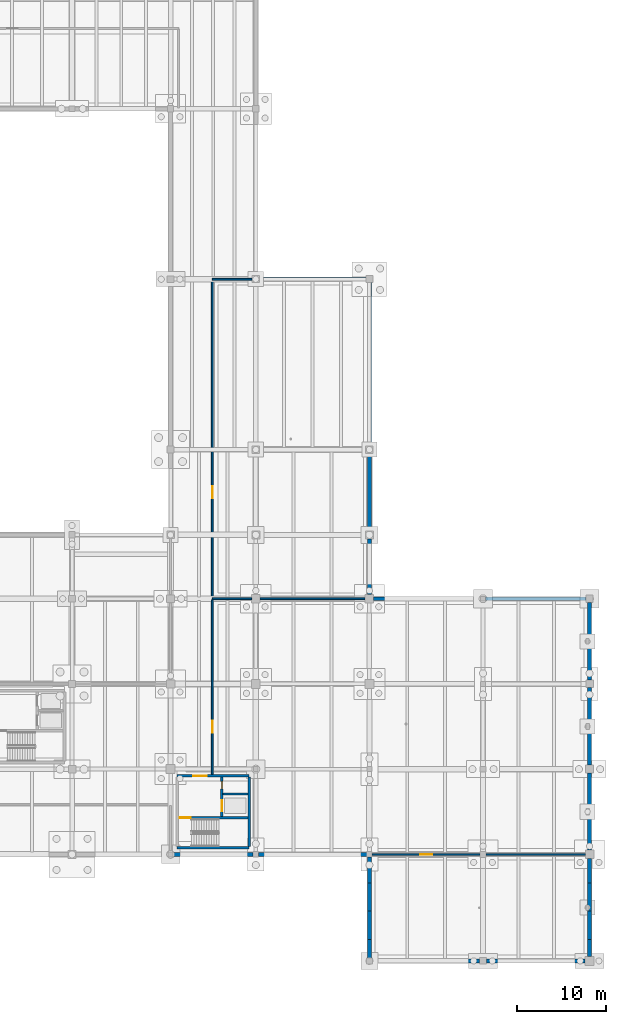
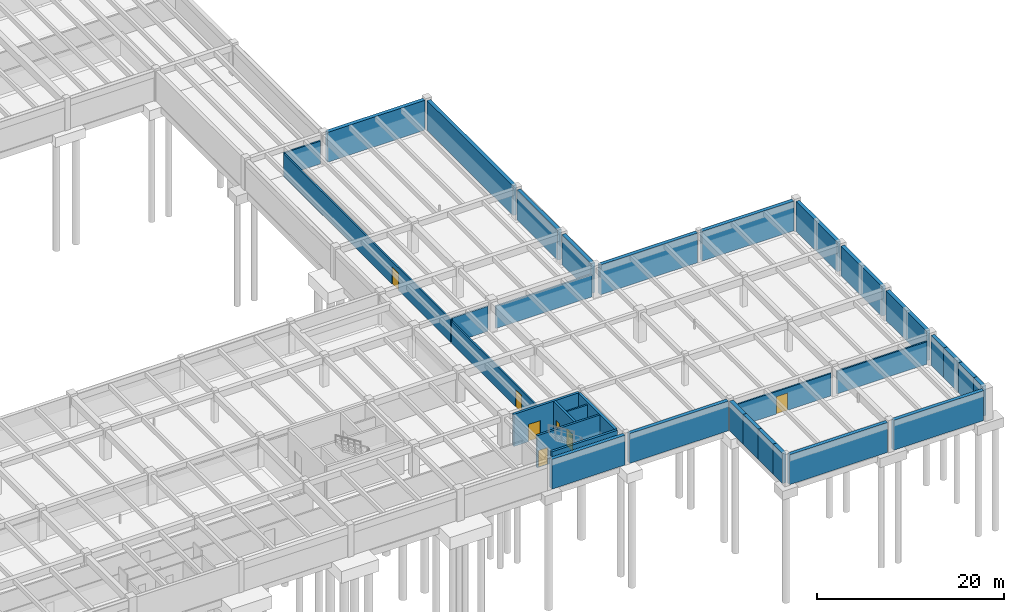
# One storey, part 21 of 41: 34 walls, 7 doors, 7 openings.
"""IFC4 building model written with IfcOpenShell, lengths in metres."""

from ifc_helpers import new_model, si_unit, direction, frame, frame_2d, origin, place, context, subcontext, project, spatial, rectangle, extrude, material, layer, layer_set, type_object, element, fill, save


model = new_model("IFC4")

# Units and contexts
model_context = context("Model", 3, precision=1e-05, world=origin(), true_north=direction((0.0, 1.0)))
body_context = subcontext(model_context, "Body", "Model", "MODEL_VIEW")
ifc_project = project(units=[si_unit("LENGTHUNIT", "METRE"), si_unit("AREAUNIT", "SQUARE_METRE"), si_unit("VOLUMEUNIT", "CUBIC_METRE"), si_unit("PLANEANGLEUNIT", "RADIAN"), si_unit("MASSUNIT", "GRAM", prefix="KILO")], contexts=[model_context])

# Site, building, storey
site_placement = place(None, origin())
site = spatial("IfcSite", under=ifc_project, at=site_placement, CompositionType="ELEMENT")
building_placement = place(site_placement, origin())
building = spatial("IfcBuilding", under=site, at=building_placement, Name="Fikremerkos Civic Library", CompositionType="ELEMENT")
storey_placement = place(building_placement, frame((0.0, 0.0, -8.39990234375)))
storey = spatial("IfcBuildingStorey", under=building, at=storey_placement, Name="B02", CompositionType="ELEMENT", Elevation=-8.39990234375)

# Walls
ifc_material_1 = material(Name="Concrete C40/50", Category="concrete")
ifc_layer_1 = layer(ifc_material_1, 0.449951171875, Name="Concrete C40/50")
ifc_layer_set_1 = layer_set([ifc_layer_1], Name="Concrete C40/50")
wall_type_1 = type_object("IfcWallType", Name="Basement retaining wall BRW-01 450", PredefinedType="USERDEFINED", material=ifc_layer_set_1)
wall_1_placement = place(storey_placement, frame((134.798095703125, 76.800048828125, 0.0), z_axis=(0.0, 0.0, 1.0), x_axis=(1.0, 0.0, 0.0)))
element("IfcWall", 1, at=wall_1_placement, inside=storey, type_object=wall_type_1, Name="Basement retaining wall BRW-01 B02 #62", ObjectType="RETAINING WALL", PredefinedType="USERDEFINED", context=body_context, shape_type="SweptSolid", body=[
    extrude(rectangle(XDim=12.00390625, YDim=0.449951171875, at=frame_2d((6.001953125, 0.0))), origin(), (0.0, 0.0, 1.0), 3.89990234375),
])
wall_2_placement = place(storey_placement, frame((147.199951171875, 76.402099609375, 0.0), z_axis=(0.0, 0.0, 1.0), x_axis=(0.0, -1.0, 0.0)))
element("IfcWall", 2, at=wall_2_placement, inside=storey, type_object=wall_type_1, Name="Basement retaining wall BRW-01 B02 #63", ObjectType="RETAINING WALL", PredefinedType="USERDEFINED", context=body_context, shape_type="SweptSolid", body=[
    extrude(rectangle(XDim=18.379150390625, YDim=0.449951171875, at=frame_2d((9.189453125, 0.0))), origin(), (0.0, 0.0, 1.0), 3.89990234375),
])
wall_3_placement = place(storey_placement, frame((147.199951171875, 57.177001953125, 0.0), z_axis=(0.0, 0.0, 1.0), x_axis=(0.0, -1.0, 0.0)))
element("IfcWall", 3, at=wall_3_placement, inside=storey, type_object=wall_type_1, Name="Basement retaining wall BRW-01 B02 #64", ObjectType="RETAINING WALL", PredefinedType="USERDEFINED", context=body_context, shape_type="SweptSolid", body=[
    extrude(rectangle(XDim=8.72900390625, YDim=0.449951171875, at=frame_2d((4.364501953125, 0.0))), origin(), (0.0, 0.0, 1.0), 3.89990234375),
])
wall_4_placement = place(storey_placement, frame((147.199951171875, 47.552001953125, 0.0), z_axis=(0.0, 0.0, 1.0), x_axis=(0.0, -1.0, 0.0)))
element("IfcWall", 4, at=wall_4_placement, inside=storey, type_object=wall_type_1, Name="Basement retaining wall BRW-01 B02 #65", ObjectType="RETAINING WALL", PredefinedType="USERDEFINED", context=body_context, shape_type="SweptSolid", body=[
    extrude(rectangle(XDim=6.279052734375, YDim=0.449951171875, at=frame_2d((3.1396484375, 0.0))), origin(), (0.0, 0.0, 1.0), 3.89990234375),
])
wall_5_placement = place(storey_placement, frame((147.673095703125, 40.800048828125, 0.0), z_axis=(0.0, 0.0, 1.0), x_axis=(1.0, 0.0, 0.0)))
element("IfcWall", 5, at=wall_5_placement, inside=storey, type_object=wall_type_1, Name="Basement retaining wall BRW-01 B02 #66", ObjectType="RETAINING WALL", PredefinedType="USERDEFINED", context=body_context, shape_type="SweptSolid", body=[
    extrude(rectangle(XDim=12.053955078125, YDim=0.449951171875, at=frame_2d((6.02685546875, 0.0))), origin(), (0.0, 0.0, 1.0), 3.8798828125),
])
wall_6_placement = place(storey_placement, frame((160.27294921875, 40.800048828125, 0.0), z_axis=(0.0, 0.0, 1.0), x_axis=(1.0, 0.0, 0.0)))
element("IfcWall", 6, at=wall_6_placement, inside=storey, type_object=wall_type_1, Name="Basement retaining wall BRW-01 B02 #67", ObjectType="RETAINING WALL", PredefinedType="USERDEFINED", context=body_context, shape_type="SweptSolid", body=[
    extrude(rectangle(XDim=11.3291015625, YDim=0.449951171875, at=frame_2d((5.66455078125, 0.0))), origin(), (0.0, 0.0, 1.0), 3.8798828125),
])
wall_7_placement = place(storey_placement, frame((172.0, 40.402099609375, 0.0), z_axis=(0.0, 0.0, 1.0), x_axis=(0.0, -1.0, 0.0)))
element("IfcWall", 7, at=wall_7_placement, inside=storey, type_object=wall_type_1, Name="Basement retaining wall BRW-01 B02 #68", ObjectType="RETAINING WALL", PredefinedType="USERDEFINED", context=body_context, shape_type="SweptSolid", body=[
    extrude(rectangle(XDim=8.779052734375, YDim=0.449951171875, at=frame_2d((4.3896484375, 0.0))), origin(), (0.0, 0.0, 1.0), 3.8798828125),
])
wall_8_placement = place(storey_placement, frame((172.0, 30.777099609375, 0.0), z_axis=(0.0, 0.0, 1.0), x_axis=(0.0, -1.0, 0.0)))
element("IfcWall", 8, at=wall_8_placement, inside=storey, type_object=wall_type_1, Name="Basement retaining wall BRW-01 B02 #69", ObjectType="RETAINING WALL", PredefinedType="USERDEFINED", context=body_context, shape_type="SweptSolid", body=[
    extrude(rectangle(XDim=8.72900390625, YDim=0.449951171875, at=frame_2d((4.364501953125, 0.0))), origin(), (0.0, 0.0, 1.0), 3.8798828125),
])
wall_9_placement = place(storey_placement, frame((172.0, 21.152099609375, 0.0), z_axis=(0.0, 0.0, 1.0), x_axis=(0.0, -1.0, 0.0)))
element("IfcWall", 9, at=wall_9_placement, inside=storey, type_object=wall_type_1, Name="Basement retaining wall BRW-01 B02 #70", ObjectType="RETAINING WALL", PredefinedType="USERDEFINED", context=body_context, shape_type="SweptSolid", body=[
    extrude(rectangle(XDim=8.67919921875, YDim=0.449951171875, at=frame_2d((4.339599609375, 0.0))), origin(), (0.0, 0.0, 1.0), 3.8798828125),
])
wall_10_placement = place(storey_placement, frame((172.0, 11.527099609375, 0.0), z_axis=(0.0, 0.0, 1.0), x_axis=(0.0, -1.0, 0.0)))
element("IfcWall", 10, at=wall_10_placement, inside=storey, type_object=wall_type_1, Name="Basement retaining wall BRW-01 B02 #71", ObjectType="RETAINING WALL", PredefinedType="USERDEFINED", context=body_context, shape_type="SweptSolid", body=[
    extrude(rectangle(XDim=2.72509765625, YDim=0.449951171875, at=frame_2d((1.362548828125, 0.0))), origin(), (0.0, 0.0, 1.0), 3.89990234375),
])
wall_11_placement = place(storey_placement, frame((172.0, 8.798095703125, 0.0), z_axis=(0.0, 0.0, 1.0), x_axis=(0.0, -1.0, 0.0)))
element("IfcWall", 11, at=wall_11_placement, inside=storey, type_object=wall_type_1, Name="Basement retaining wall BRW-01 B02 #72", ObjectType="RETAINING WALL", PredefinedType="USERDEFINED", context=body_context, shape_type="SweptSolid", body=[
    extrude(rectangle(XDim=3.196044921875, YDim=0.449951171875, at=frame_2d((1.59814453125, 0.0))), origin(), (0.0, 0.0, 1.0), 3.89990234375),
])
wall_12_placement = place(storey_placement, frame((172.0, 5.597900390625, 0.0), z_axis=(0.0, 0.0, 1.0), x_axis=(0.0, -1.0, 0.0)))
element("IfcWall", 12, at=wall_12_placement, inside=storey, type_object=wall_type_1, Name="Basement retaining wall BRW-01 B02 #73", ObjectType="RETAINING WALL", PredefinedType="USERDEFINED", context=body_context, shape_type="SweptSolid", body=[
    extrude(rectangle(XDim=3.19580078125, YDim=0.449951171875, at=frame_2d((1.597900390625, 0.0))), origin(), (0.0, 0.0, 1.0), 3.89990234375),
])
wall_13_placement = place(storey_placement, frame((172.0, 2.39794921875, 0.0), z_axis=(0.0, 0.0, 1.0), x_axis=(0.0, -1.0, 0.0)))
element("IfcWall", 13, at=wall_13_placement, inside=storey, type_object=wall_type_1, Name="Basement retaining wall BRW-01 B02 #74", ObjectType="RETAINING WALL", PredefinedType="USERDEFINED", context=body_context, shape_type="SweptSolid", body=[
    extrude(rectangle(XDim=1.89990234375, YDim=0.449951171875, at=frame_2d((0.949951171875, 0.0))), origin(), (0.0, 0.0, 1.0), 3.89990234375),
])
wall_14_placement = place(storey_placement, frame((171.501953125, 0.0, 0.0), z_axis=(0.0, 0.0, 1.0), x_axis=(-1.0, 0.0, 0.0)))
element("IfcWall", 14, at=wall_14_placement, inside=storey, type_object=wall_type_1, Name="Basement retaining wall BRW-01 B02 #75", ObjectType="RETAINING WALL", PredefinedType="USERDEFINED", context=body_context, shape_type="SweptSolid", body=[
    extrude(rectangle(XDim=11.12890625, YDim=0.449951171875, at=frame_2d((5.564453125, 0.0))), origin(), (0.0, 0.0, 1.0), 3.89990234375),
])
wall_15_placement = place(storey_placement, frame((159.626953125, 0.0, 0.0), z_axis=(0.0, 0.0, 1.0), x_axis=(-1.0, 0.0, 0.0)))
element("IfcWall", 15, at=wall_15_placement, inside=storey, type_object=wall_type_1, Name="Basement retaining wall BRW-01 B02 #76", ObjectType="RETAINING WALL", PredefinedType="USERDEFINED", context=body_context, shape_type="SweptSolid", body=[
    extrude(rectangle(XDim=12.10400390625, YDim=0.449951171875, at=frame_2d((6.052001953125, 0.0))), origin(), (0.0, 0.0, 1.0), 3.89990234375),
])
wall_16_placement = place(storey_placement, frame((147.199951171875, 0.322998046875, 0.0), z_axis=(0.0, 0.0, 1.0), x_axis=(0.0, 1.0, 0.0)))
element("IfcWall", 16, at=wall_16_placement, inside=storey, type_object=wall_type_1, Name="Basement retaining wall BRW-01 B02 #77", ObjectType="RETAINING WALL", PredefinedType="USERDEFINED", context=body_context, shape_type="SweptSolid", body=[
    extrude(rectangle(XDim=2.074951171875, YDim=0.449951171875, at=frame_2d((1.03759765625, 0.0))), origin(), (0.0, 0.0, 1.0), 3.89990234375),
])
wall_17_placement = place(storey_placement, frame((147.199951171875, 2.402099609375, 0.0), z_axis=(0.0, 0.0, 1.0), x_axis=(0.0, 1.0, 0.0)))
element("IfcWall", 17, at=wall_17_placement, inside=storey, type_object=wall_type_1, Name="Basement retaining wall BRW-01 B02 #78", ObjectType="RETAINING WALL", PredefinedType="USERDEFINED", context=body_context, shape_type="SweptSolid", body=[
    extrude(rectangle(XDim=3.19580078125, YDim=0.449951171875, at=frame_2d((1.597900390625, 0.0))), origin(), (0.0, 0.0, 1.0), 3.89990234375),
])
wall_18_placement = place(storey_placement, frame((147.199951171875, 5.60205078125, 0.0), z_axis=(0.0, 0.0, 1.0), x_axis=(0.0, 1.0, 0.0)))
element("IfcWall", 18, at=wall_18_placement, inside=storey, type_object=wall_type_1, Name="Basement retaining wall BRW-01 B02 #79", ObjectType="RETAINING WALL", PredefinedType="USERDEFINED", context=body_context, shape_type="SweptSolid", body=[
    extrude(rectangle(XDim=3.196044921875, YDim=0.449951171875, at=frame_2d((1.59814453125, 0.0))), origin(), (0.0, 0.0, 1.0), 3.89990234375),
])
wall_19_placement = place(storey_placement, frame((147.199951171875, 8.802001953125, 0.0), z_axis=(0.0, 0.0, 1.0), x_axis=(0.0, 1.0, 0.0)))
element("IfcWall", 19, at=wall_19_placement, inside=storey, type_object=wall_type_1, Name="Basement retaining wall BRW-01 B02 #80", ObjectType="RETAINING WALL", PredefinedType="USERDEFINED", context=body_context, shape_type="SweptSolid", body=[
    extrude(rectangle(XDim=2.89990234375, YDim=0.449951171875, at=frame_2d((1.449951171875, 0.0))), origin(), (0.0, 0.0, 1.0), 3.89990234375),
])
wall_20_placement = place(storey_placement, frame((146.902099609375, 12.0, 0.0), z_axis=(0.0, 0.0, 1.0), x_axis=(-1.0, 0.0, 0.0)))
element("IfcWall", 20, at=wall_20_placement, inside=storey, type_object=wall_type_1, Name="Basement retaining wall BRW-01 B02 #81", ObjectType="RETAINING WALL", PredefinedType="USERDEFINED", context=body_context, shape_type="SweptSolid", body=[
    extrude(rectangle(XDim=12.2041015625, YDim=0.449951171875, at=frame_2d((6.10205078125, 0.0))), origin(), (0.0, 0.0, 1.0), 3.8798828125),
])
wall_21_placement = place(storey_placement, frame((134.10205078125, 12.0, 0.0), z_axis=(0.0, 0.0, 1.0), x_axis=(-1.0, 0.0, 0.0)))
element("IfcWall", 21, at=wall_21_placement, inside=storey, type_object=wall_type_1, Name="Basement retaining wall BRW-01 B02 #82", ObjectType="RETAINING WALL", PredefinedType="USERDEFINED", context=body_context, shape_type="SweptSolid", body=[
    extrude(rectangle(XDim=9.029052734375, YDim=0.449951171875, at=frame_2d((4.5146484375, 0.0))), origin(), (0.0, 0.0, 1.0), 3.8798828125),
])
ifc_layer_2 = layer(ifc_material_1, 0.300048828125, Name="Concrete C40/50")
ifc_layer_set_2 = layer_set([ifc_layer_2], Name="Concrete C40/50")
wall_type_2 = type_object("IfcWallType", Name="Core shear wall CSW-01 300", PredefinedType="SHEAR", material=ifc_layer_set_2)
wall_22_placement = place(storey_placement, frame((133.64990234375, 12.75, 0.0), z_axis=(0.0, 0.0, 1.0), x_axis=(-1.0, 0.0, 0.0)))
element("IfcWall", 22, at=wall_22_placement, inside=storey, type_object=wall_type_2, Name="Core K4 south shear wall B02", PredefinedType="SHEAR", context=body_context, shape_type="SweptSolid", body=[
    extrude(rectangle(XDim=8.099853515625, YDim=0.300048828125, at=frame_2d((4.0498046875, 0.0))), origin(), (0.0, 0.0, 1.0), 4.199951171875),
])

# Wall, opening, door
wall_23_placement = place(storey_placement, frame((125.550048828125, 20.85009765625, 0.0), z_axis=(0.0, 0.0, 1.0), x_axis=(1.0, 0.0, 0.0)))
wall_23 = element("IfcWall", 23, at=wall_23_placement, inside=storey, type_object=wall_type_2, Name="Core K4 north shear wall B02", PredefinedType="SHEAR", context=body_context, shape_type="SweptSolid", body=[
    extrude(rectangle(XDim=8.099853515625, YDim=0.300048828125, at=frame_2d((4.0498046875, 0.0))), origin(), (0.0, 0.0, 1.0), 4.199951171875),
])
opening_1_placement = place(wall_23_placement, frame((1.800048828125, 0.0, 0.0)))
opening_1 = element("IfcOpeningElement", 24, at=opening_1_placement, cuts=wall_23, Name="Opening D101", PredefinedType="OPENING", context=body_context, shape_type="SweptSolid", body=[
    extrude(rectangle(XDim=1.5, YDim=2.25, at=frame_2d((0.75, 1.125))), frame((0.0, 0.159912109375, 0.0), z_axis=(0.0, -1.0, 0.0), x_axis=(1.0, 0.0, 0.0)), (0.0, 0.0, 1.0), 0.320068359375),
])
ifc_material_2 = material(Name="Hardwood timber and acoustic glass", Category="wood")
door_type_1 = type_object("IfcDoorType", Name="Pedestrian door DT-05 1500x2250", OperationType="NOTDEFINED", PredefinedType="DOOR", material=ifc_material_2)
door_1_placement = place(opening_1_placement, origin())
door_1 = element("IfcDoor", 25, at=door_1_placement, inside=storey, type_object=door_type_1, Name="Core K4 lobby fire door D101 B02", OperationType="SINGLE_SWING_LEFT", OverallHeight=2.25, OverallWidth=1.5, PredefinedType="DOOR", context=body_context, shape_type="SweptSolid", body=[
    extrude(rectangle(XDim=1.5, YDim=2.25, at=frame_2d((0.75, 1.125))), frame((0.0, 0.032470703125, 0.0), z_axis=(0.0, -1.0, 0.0), x_axis=(1.0, 0.0, 0.0)), (0.0, 0.0, 1.0), 0.06494140625),
])
fill(opening_1, door_1)

# Wall
wall_24_placement = place(storey_placement, frame((133.64990234375, 20.697998046875, 0.0), z_axis=(0.0, 0.0, 1.0), x_axis=(0.0, -1.0, 0.0)))
element("IfcWall", 26, at=wall_24_placement, inside=storey, type_object=wall_type_2, Name="Core K4 east shear wall B02", PredefinedType="SHEAR", context=body_context, shape_type="SweptSolid", body=[
    extrude(rectangle(XDim=7.7958984375, YDim=0.300048828125, at=frame_2d((3.89794921875, 0.0))), origin(), (0.0, 0.0, 1.0), 4.199951171875),
])

# Wall, opening, door
ifc_layer_3 = layer(ifc_material_1, 0.260009765625, Name="Concrete C40/50")
ifc_layer_set_3 = layer_set([ifc_layer_3], Name="Concrete C40/50")
wall_type_3 = type_object("IfcWallType", Name="Core shear wall CSW-02 260", PredefinedType="SHEAR", material=ifc_layer_set_3)
wall_25_placement = place(storey_placement, frame((125.701904296875, 16.1298828125, 0.0), z_axis=(0.0, 0.0, 1.0), x_axis=(1.0, 0.0, 0.0)))
wall_25 = element("IfcWall", 27, at=wall_25_placement, inside=storey, type_object=wall_type_3, Name="Core K4 stair compartment wall B02", PredefinedType="SHEAR", context=body_context, shape_type="SweptSolid", body=[
    extrude(rectangle(XDim=7.796142578125, YDim=0.260009765625, at=frame_2d((3.89794921875, 0.0))), origin(), (0.0, 0.0, 1.0), 4.199951171875),
])
opening_2_placement = place(wall_25_placement, frame((0.14794921875, 0.0, 0.0)))
opening_2 = element("IfcOpeningElement", 28, at=opening_2_placement, cuts=wall_25, Name="Opening D102", PredefinedType="OPENING", context=body_context, shape_type="SweptSolid", body=[
    extrude(rectangle(XDim=1.199951171875, YDim=2.199951171875, at=frame_2d((0.60009765625, 1.10009765625))), frame((0.0, 0.139892578125, 0.0), z_axis=(0.0, -1.0, 0.0), x_axis=(1.0, 0.0, 0.0)), (0.0, 0.0, 1.0), 0.280029296875),
])
door_type_2 = type_object("IfcDoorType", Name="Pedestrian door DT-06 1200x2200", OperationType="NOTDEFINED", PredefinedType="DOOR", material=ifc_material_2)
door_2_placement = place(opening_2_placement, origin())
door_2 = element("IfcDoor", 29, at=door_2_placement, inside=storey, type_object=door_type_2, Name="Core K4 stair fire door D102 B02", OperationType="SINGLE_SWING_RIGHT", OverallHeight=2.199951171875, OverallWidth=1.199951171875, PredefinedType="DOOR", context=body_context, shape_type="SweptSolid", body=[
    extrude(rectangle(XDim=1.199951171875, YDim=2.199951171875, at=frame_2d((0.60009765625, 1.10009765625))), frame((0.0, 0.032470703125, 0.0), z_axis=(0.0, -1.0, 0.0), x_axis=(1.0, 0.0, 0.0)), (0.0, 0.0, 1.0), 0.06494140625),
])
fill(opening_2, door_2)

# Wall, openings, doors
wall_26_placement = place(storey_placement, frame((130.570068359375, 16.261962890625, 0.0), z_axis=(0.0, 0.0, 1.0), x_axis=(0.0, 1.0, 0.0)))
wall_26 = element("IfcWall", 30, at=wall_26_placement, inside=storey, type_object=wall_type_3, Name="Core K4 lift shaft front wall B02", PredefinedType="SHEAR", context=body_context, shape_type="SweptSolid", body=[
    extrude(rectangle(XDim=4.43603515625, YDim=0.260009765625, at=frame_2d((2.218017578125, 0.0))), origin(), (0.0, 0.0, 1.0), 4.199951171875),
])
opening_3_placement = place(wall_26_placement, frame((3.113037109375, 0.0, 0.0)))
opening_3 = element("IfcOpeningElement", 31, at=opening_3_placement, cuts=wall_26, Name="Opening D103", PredefinedType="OPENING", context=body_context, shape_type="SweptSolid", body=[
    extrude(rectangle(XDim=0.85009765625, YDim=2.050048828125, at=frame_2d((0.425048828125, 1.02490234375))), frame((0.0, 0.139892578125, 0.0), z_axis=(0.0, -1.0, 0.0), x_axis=(1.0, 0.0, 0.0)), (0.0, 0.0, 1.0), 0.280029296875),
])
opening_4_placement = place(wall_26_placement, frame((0.593017578125, 0.0, 0.0)))
opening_4 = element("IfcOpeningElement", 32, at=opening_4_placement, cuts=wall_26, Name="Opening LD49", PredefinedType="OPENING", context=body_context, shape_type="SweptSolid", body=[
    extrude(rectangle(XDim=1.25, YDim=2.199951171875, at=frame_2d((0.625, 1.10009765625))), frame((0.0, 0.139892578125, 0.0), z_axis=(0.0, -1.0, 0.0), x_axis=(1.0, 0.0, 0.0)), (0.0, 0.0, 1.0), 0.280029296875),
])
ifc_material_3 = material(Name="Brushed stainless steel", Category="steel")
door_type_3 = type_object("IfcDoorType", Name="Lift landing door LDT-02 1250x2200", OperationType="NOTDEFINED", PredefinedType="DOOR", material=ifc_material_3)
door_3_placement = place(opening_4_placement, origin())
door_3 = element("IfcDoor", 33, at=door_3_placement, inside=storey, type_object=door_type_3, Name="Lift LF07 sliding landing door LD49 B02", OperationType="SLIDING_TO_LEFT", OverallHeight=2.199951171875, OverallWidth=1.25, PredefinedType="DOOR", context=body_context, shape_type="SweptSolid", body=[
    extrude(rectangle(XDim=1.25, YDim=2.199951171875, at=frame_2d((0.625, 1.10009765625))), frame((0.0, 0.032470703125, 0.0), z_axis=(0.0, -1.0, 0.0), x_axis=(1.0, 0.0, 0.0)), (0.0, 0.0, 1.0), 0.06494140625),
])
fill(opening_4, door_3)
door_type_4 = type_object("IfcDoorType", Name="Pedestrian door DT-08 850x2050", OperationType="NOTDEFINED", PredefinedType="DOOR", material=ifc_material_2)
door_4_placement = place(opening_3_placement, origin())
door_4 = element("IfcDoor", 34, at=door_4_placement, inside=storey, type_object=door_type_4, Name="Core K4 riser access fire door D103 B02", OperationType="SINGLE_SWING_RIGHT", OverallHeight=2.050048828125, OverallWidth=0.85009765625, PredefinedType="DOOR", context=body_context, shape_type="SweptSolid", body=[
    extrude(rectangle(XDim=0.85009765625, YDim=2.050048828125, at=frame_2d((0.425048828125, 1.02490234375))), frame((0.0, 0.032470703125, 0.0), z_axis=(0.0, -1.0, 0.0), x_axis=(1.0, 0.0, 0.0)), (0.0, 0.0, 1.0), 0.06494140625),
])
fill(opening_3, door_4)

# Wall, opening, door
ifc_material_4 = material(Name="Acoustic concrete blockwork", Category="masonry")
ifc_layer_4 = layer(ifc_material_4, 0.18994140625, Name="Acoustic concrete blockwork")
ifc_layer_set_4 = layer_set([ifc_layer_4], Name="Acoustic concrete blockwork")
wall_type_4 = type_object("IfcWallType", Name="Interior partition wall IPW-01 190", PredefinedType="PARTITIONING", material=ifc_layer_set_4)
wall_27_placement = place(storey_placement, frame((147.5029296875, 12.0, 0.0), z_axis=(0.0, 0.0, 1.0), x_axis=(1.0, 0.0, 0.0)))
wall_27 = element("IfcWall", 35, at=wall_27_placement, inside=storey, type_object=wall_type_4, Name="Interior wall IPW-01 B02 #20", PredefinedType="PARTITIONING", context=body_context, shape_type="SweptSolid", body=[
    extrude(rectangle(XDim=12.14404296875, YDim=0.18994140625, at=frame_2d((6.072021484375, 0.0))), origin(), (0.0, 0.0, 1.0), 2.93994140625),
])
opening_5_placement = place(wall_27_placement, frame((5.422119140625, 0.0, 0.0)))
opening_5 = element("IfcOpeningElement", 36, at=opening_5_placement, cuts=wall_27, Name="Opening D141", PredefinedType="OPENING", context=body_context, shape_type="SweptSolid", body=[
    extrude(rectangle(XDim=1.35009765625, YDim=2.25, at=frame_2d((0.675048828125, 1.125))), frame((0.0, 0.10498046875, 0.0), z_axis=(0.0, -1.0, 0.0), x_axis=(1.0, 0.0, 0.0)), (0.0, 0.0, 1.0), 0.2099609375),
])
door_type_5 = type_object("IfcDoorType", Name="Pedestrian door DT-07 1350x2250", OperationType="NOTDEFINED", PredefinedType="DOOR", material=ifc_material_2)
door_5_placement = place(opening_5_placement, origin())
door_5 = element("IfcDoor", 37, at=door_5_placement, inside=storey, type_object=door_type_5, Name="Interior door D141 B02", OperationType="SINGLE_SWING_RIGHT", OverallHeight=2.25, OverallWidth=1.35009765625, PredefinedType="DOOR", context=body_context, shape_type="SweptSolid", body=[
    extrude(rectangle(XDim=1.35009765625, YDim=2.25, at=frame_2d((0.675048828125, 1.125))), frame((0.0, 0.032470703125, 0.0), z_axis=(0.0, -1.0, 0.0), x_axis=(1.0, 0.0, 0.0)), (0.0, 0.0, 1.0), 0.06494140625),
])
fill(opening_5, door_5)

# Walls
wall_28_placement = place(storey_placement, frame((160.35302734375, 12.0, 0.0), z_axis=(0.0, 0.0, 1.0), x_axis=(1.0, 0.0, 0.0)))
element("IfcWall", 38, at=wall_28_placement, inside=storey, type_object=wall_type_4, Name="Interior wall IPW-01 B02 #21", PredefinedType="PARTITIONING", context=body_context, shape_type="SweptSolid", body=[
    extrude(rectangle(XDim=11.1689453125, YDim=0.18994140625, at=frame_2d((5.58447265625, 0.0))), origin(), (0.0, 0.0, 1.0), 2.93994140625),
])
wall_29_placement = place(storey_placement, frame((129.5, 40.800048828125, 0.0), z_axis=(0.0, 0.0, 1.0), x_axis=(1.0, 0.0, 0.0)))
element("IfcWall", 39, at=wall_29_placement, inside=storey, type_object=wall_type_4, Name="Interior wall IPW-01 B02 #22", PredefinedType="PARTITIONING", context=body_context, shape_type="SweptSolid", body=[
    extrude(rectangle(XDim=4.422119140625, YDim=0.18994140625, at=frame_2d((2.2109375, 0.0))), origin(), (0.0, 0.0, 1.0), 3.27001953125),
])
wall_30_placement = place(storey_placement, frame((134.8779296875, 40.800048828125, 0.0), z_axis=(0.0, 0.0, 1.0), x_axis=(1.0, 0.0, 0.0)))
element("IfcWall", 40, at=wall_30_placement, inside=storey, type_object=wall_type_4, Name="Interior wall IPW-01 B02 #23", PredefinedType="PARTITIONING", context=body_context, shape_type="SweptSolid", body=[
    extrude(rectangle(XDim=11.843994140625, YDim=0.18994140625, at=frame_2d((5.921875, 0.0))), origin(), (0.0, 0.0, 1.0), 2.919921875),
])
wall_31_placement = place(storey_placement, frame((129.5, 76.800048828125, 0.0), z_axis=(0.0, 0.0, 1.0), x_axis=(1.0, 0.0, 0.0)))
element("IfcWall", 41, at=wall_31_placement, inside=storey, type_object=wall_type_4, Name="Interior wall IPW-01 B02 #24", PredefinedType="PARTITIONING", context=body_context, shape_type="SweptSolid", body=[
    extrude(rectangle(XDim=4.4970703125, YDim=0.18994140625, at=frame_2d((2.24853515625, 0.0))), origin(), (0.0, 0.0, 1.0), 2.989990234375),
])

# Wall, opening, door
wall_32_placement = place(storey_placement, frame((129.5, 21.0029296875, 0.0), z_axis=(0.0, 0.0, 1.0), x_axis=(0.0, 1.0, 0.0)))
wall_32 = element("IfcWall", 42, at=wall_32_placement, inside=storey, type_object=wall_type_4, Name="Interior wall IPW-01 B02 #36", PredefinedType="PARTITIONING", context=body_context, shape_type="SweptSolid", body=[
    extrude(rectangle(XDim=19.692138671875, YDim=0.18994140625, at=frame_2d((9.84619140625, 0.0))), origin(), (0.0, 0.0, 1.0), 2.869873046875),
])
opening_6_placement = place(wall_32_placement, frame((4.721923828125, 0.0, 0.0)))
opening_6 = element("IfcOpeningElement", 43, at=opening_6_placement, cuts=wall_32, Name="Opening D140", PredefinedType="OPENING", context=body_context, shape_type="SweptSolid", body=[
    extrude(rectangle(XDim=1.35009765625, YDim=2.25, at=frame_2d((0.675048828125, 1.125))), frame((0.0, 0.10498046875, 0.0), z_axis=(0.0, -1.0, 0.0), x_axis=(1.0, 0.0, 0.0)), (0.0, 0.0, 1.0), 0.2099609375),
])
door_6_placement = place(opening_6_placement, origin())
door_6 = element("IfcDoor", 44, at=door_6_placement, inside=storey, type_object=door_type_5, Name="Interior door D140 B02", OperationType="SINGLE_SWING_LEFT", OverallHeight=2.25, OverallWidth=1.35009765625, PredefinedType="DOOR", context=body_context, shape_type="SweptSolid", body=[
    extrude(rectangle(XDim=1.35009765625, YDim=2.25, at=frame_2d((0.675048828125, 1.125))), frame((0.0, 0.032470703125, 0.0), z_axis=(0.0, -1.0, 0.0), x_axis=(1.0, 0.0, 0.0)), (0.0, 0.0, 1.0), 0.06494140625),
])
fill(opening_6, door_6)

wall_33_placement = place(storey_placement, frame((129.5, 40.905029296875, 0.0), z_axis=(0.0, 0.0, 1.0), x_axis=(0.0, 1.0, 0.0)))
wall_33 = element("IfcWall", 45, at=wall_33_placement, inside=storey, type_object=wall_type_4, Name="Interior wall IPW-01 B02 #37", PredefinedType="PARTITIONING", context=body_context, shape_type="SweptSolid", body=[
    extrude(rectangle(XDim=35.7900390625, YDim=0.18994140625, at=frame_2d((17.89501953125, 0.0))), origin(), (0.0, 0.0, 1.0), 2.93994140625),
])
opening_7_placement = place(wall_33_placement, frame((11.219970703125, 0.0, 0.0)))
opening_7 = element("IfcOpeningElement", 46, at=opening_7_placement, cuts=wall_33, Name="Opening D142", PredefinedType="OPENING", context=body_context, shape_type="SweptSolid", body=[
    extrude(rectangle(XDim=1.35009765625, YDim=2.25, at=frame_2d((0.675048828125, 1.125))), frame((0.0, 0.10498046875, 0.0), z_axis=(0.0, -1.0, 0.0), x_axis=(1.0, 0.0, 0.0)), (0.0, 0.0, 1.0), 0.2099609375),
])
door_7_placement = place(opening_7_placement, origin())
door_7 = element("IfcDoor", 47, at=door_7_placement, inside=storey, type_object=door_type_5, Name="Interior door D142 B02", OperationType="SINGLE_SWING_LEFT", OverallHeight=2.25, OverallWidth=1.35009765625, PredefinedType="DOOR", context=body_context, shape_type="SweptSolid", body=[
    extrude(rectangle(XDim=1.35009765625, YDim=2.25, at=frame_2d((0.675048828125, 1.125))), frame((0.0, 0.032470703125, 0.0), z_axis=(0.0, -1.0, 0.0), x_axis=(1.0, 0.0, 0.0)), (0.0, 0.0, 1.0), 0.06494140625),
])
fill(opening_7, door_7)

# Wall
ifc_material_5 = material(Name="Concrete C35/45", Category="concrete")
ifc_layer_5 = layer(ifc_material_5, 0.199951171875, Name="Concrete C35/45")
ifc_layer_set_5 = layer_set([ifc_layer_5], Name="Concrete C35/45")
wall_type_5 = type_object("IfcWallType", Name="Service duct wall SDW-01 200", PredefinedType="PLUMBINGWALL", material=ifc_layer_set_5)
wall_34_placement = place(storey_placement, frame((130.701904296875, 18.800048828125, 0.0), z_axis=(0.0, 0.0, 1.0), x_axis=(1.0, 0.0, 0.0)))
element("IfcWall", 48, at=wall_34_placement, inside=storey, type_object=wall_type_5, Name="Core K4 lift-riser divider wall B02", PredefinedType="PLUMBINGWALL", context=body_context, shape_type="SweptSolid", body=[
    extrude(rectangle(XDim=2.796142578125, YDim=0.199951171875, at=frame_2d((1.39794921875, 0.0))), origin(), (0.0, 0.0, 1.0), 3.8798828125),
])

save(model, "model.ifc")
